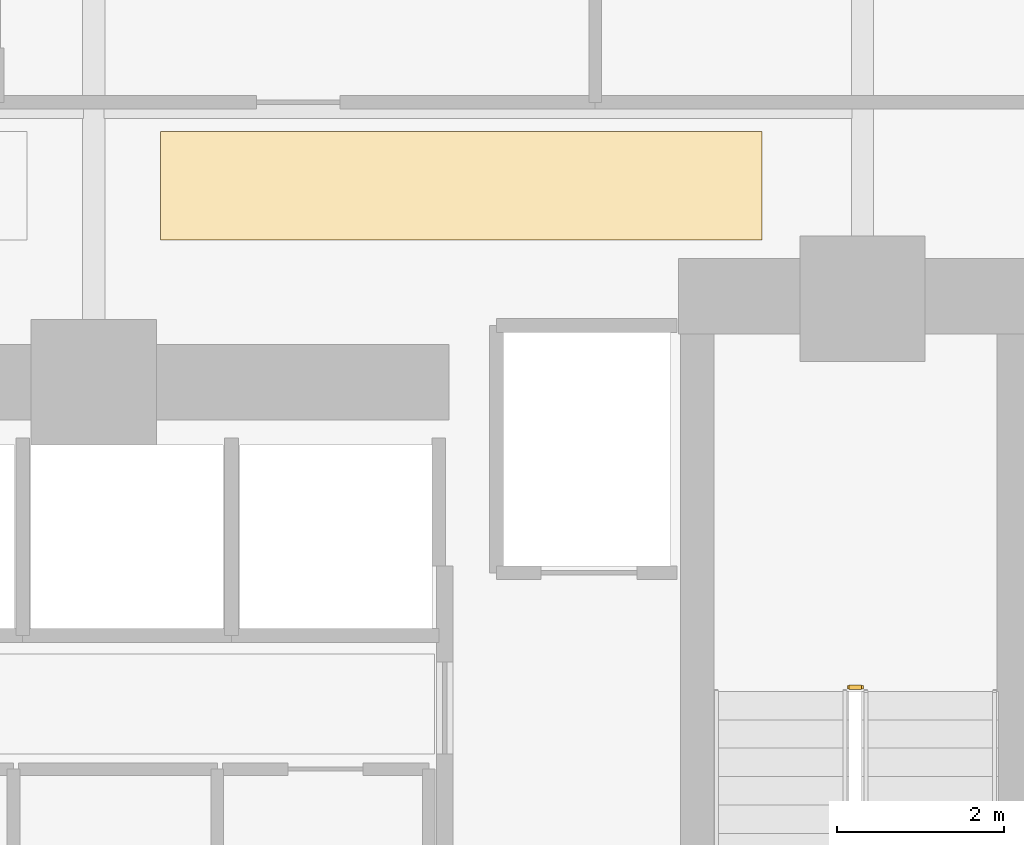
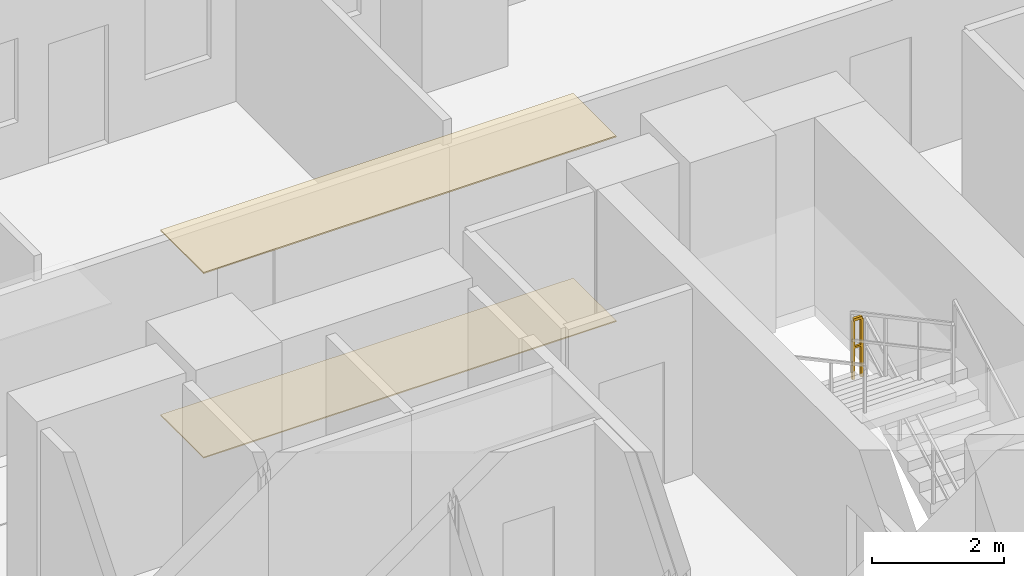
# One storey, part 28 of 29: 2 coverings, 1 railing.
"""IFC4 building model written with IfcOpenShell, lengths in metres."""

from ifc_helpers import new_model, si_unit, direction, frame, origin, origin_2d, place, context, subcontext, project, spatial, polyline, rectangle, outline, extrude, material, layer, layer_set, type_object, element, save


model = new_model("IFC4")

# Units and contexts
model_context = context("Model", 3, precision=1e-05, world=origin(), true_north=direction((0.0, 1.0)))
body_context = subcontext(model_context, "Body", "Model", "MODEL_VIEW")
ifc_project = project(units=[si_unit("LENGTHUNIT", "METRE"), si_unit("AREAUNIT", "SQUARE_METRE"), si_unit("VOLUMEUNIT", "CUBIC_METRE"), si_unit("PLANEANGLEUNIT", "RADIAN"), si_unit("MASSUNIT", "GRAM", prefix="KILO")], contexts=[model_context])

# Site, building, storey
site_placement = place(None, origin())
site = spatial("IfcSite", under=ifc_project, at=site_placement, CompositionType="ELEMENT")
building_placement = place(site_placement, origin())
building = spatial("IfcBuilding", under=site, at=building_placement, Name="Zuhayl Quay Hotel", CompositionType="ELEMENT")
storey_placement = place(building_placement, frame((0.0, 0.0, 38.550048828125)))
storey = spatial("IfcBuildingStorey", under=building, at=storey_placement, Name="L08", CompositionType="ELEMENT", Elevation=38.550048828125)

# Coverings
ifc_material_1 = material(Name="Acoustic Mineral-Fibre Gypsum Board")
ifc_layer_1 = layer(ifc_material_1, 0.02490234375, Name="Acoustic Mineral-Fibre Gypsum Board")
ifc_layer_set_1 = layer_set([ifc_layer_1], Name="Acoustic Mineral-Fibre Gypsum Board")
covering_type_1 = type_object("IfcCoveringType", Name="CV_CEIL_ACOUSTIC", PredefinedType="CEILING", material=ifc_layer_set_1)
covering_1_placement = place(storey_placement, frame((0.0, 0.0, 3.405029296875)))
element("IfcCovering", 1, at=covering_1_placement, inside=storey, type_object=covering_type_1, Name="L08 Guest Corridor Acoustic Ceiling CE", PredefinedType="CEILING", context=body_context, shape_type="SweptSolid", body=[
    extrude(outline(polyline([(5.39990234375, 15.050048828125), (12.60009765625, 15.050048828125), (12.60009765625, 16.35009765625), (5.39990234375, 16.35009765625), (5.39990234375, 15.050048828125)])), origin(), (0.0, 0.0, 1.0), 0.02490234375),
])
ifc_material_2 = material(Name="Polished Limestone Terrazzo", Category="masonry")
ifc_layer_2 = layer(ifc_material_2, 0.02001953125, Name="Polished Limestone Terrazzo", Category="masonry")
ifc_layer_set_2 = layer_set([ifc_layer_2], Name="Polished Limestone Terrazzo")
covering_type_2 = type_object("IfcCoveringType", Name="CV_FLOOR_TERRAZZO", PredefinedType="FLOORING", material=ifc_layer_set_2)
covering_2_placement = place(storey_placement, origin())
element("IfcCovering", 2, at=covering_2_placement, inside=storey, type_object=covering_type_2, Name="L08 Guest Corridor Terrazzo Runner CE", PredefinedType="FLOORING", context=body_context, shape_type="SweptSolid", body=[
    extrude(outline(polyline([(5.39990234375, 15.050048828125), (12.60009765625, 15.050048828125), (12.60009765625, 16.35009765625), (5.39990234375, 16.35009765625), (5.39990234375, 15.050048828125)])), origin(), (0.0, 0.0, 1.0), 0.02001953125),
])

# Railing
ifc_material_3 = material(Name="Steel ASTM A992 Grade 50", Category="steel")
railing_type = type_object("IfcRailingType", Name="RL_GUARD_1100", PredefinedType="GUARDRAIL", material=ifc_material_3)
railing_placement = place(storey_placement, frame((13.7900390625, 9.699951171875, 1.824951171875)))
element("IfcRailing", 3, at=railing_placement, inside=storey, type_object=railing_type, Name="L08 ST2 stair guard 2", PredefinedType="GUARDRAIL", context=body_context, shape_type="SweptSolid", body=[
    extrude(rectangle(XDim=0.048095703125, YDim=0.048095703125, at=origin_2d()), frame((0.0, 0.0, 1.09619140625), z_axis=(-1.0, 0.0, 0.0), x_axis=(0.0, -1.0, 0.0)), (0.0, 0.0, 1.0), 0.150146484375),
    extrude(rectangle(XDim=0.0361328125, YDim=0.0361328125, at=origin_2d()), frame((0.0, 0.0, 0.58251953125), z_axis=(-1.0, 0.0, 0.0), x_axis=(0.0, -1.0, 0.0)), (0.0, 0.0, 1.0), 0.150146484375),
    extrude(rectangle(XDim=0.0419921875, YDim=0.0419921875, at=origin_2d()), origin(), (0.0, 0.0, 1.0), 1.072021484375),
    extrude(rectangle(XDim=0.0419921875, YDim=0.0419921875, at=origin_2d()), frame((-0.150146484375, 0.0, 0.0)), (0.0, 0.0, 1.0), 1.072021484375),
])

save(model, "model.ifc")
